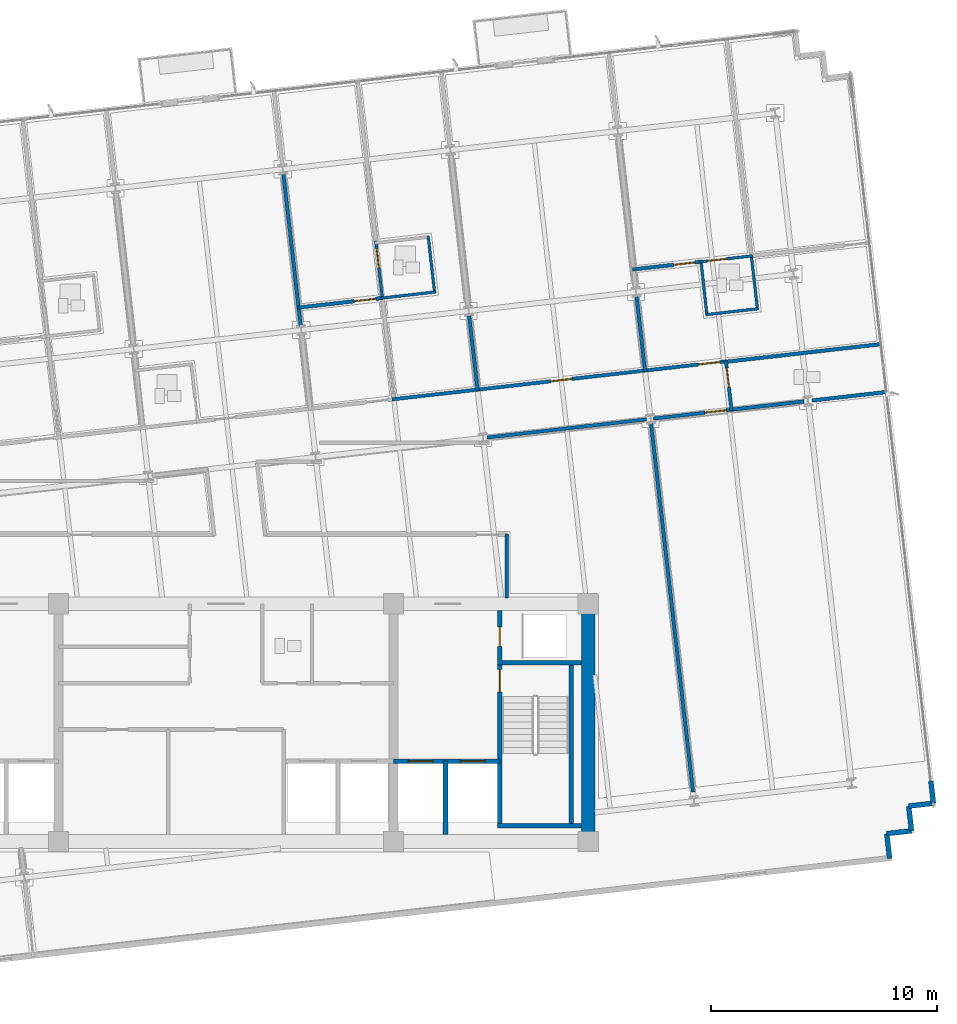
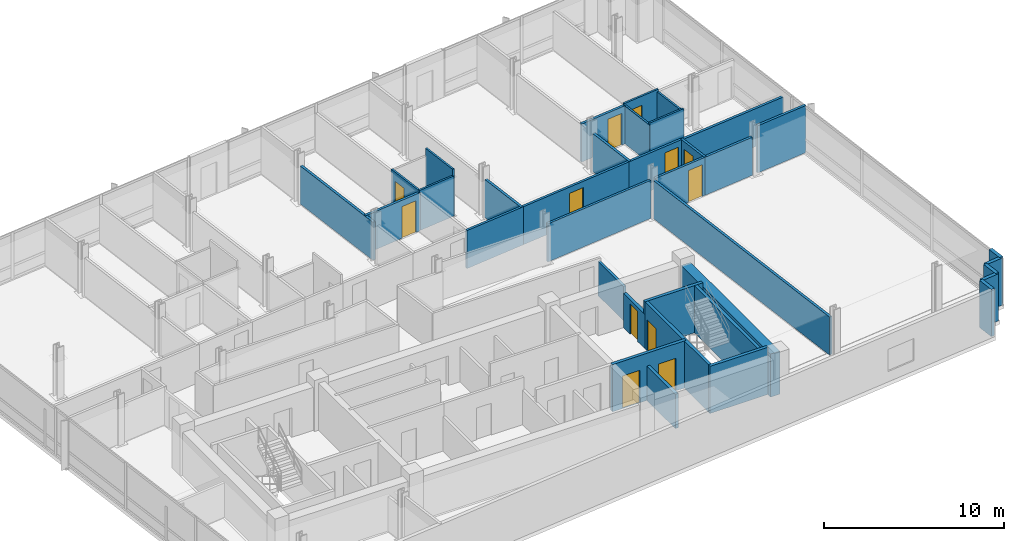
# One storey, part 10 of 16: 36 walls, 12 doors, 12 openings.
"""IFC4 building model written with IfcOpenShell, lengths in metres."""

from ifc_helpers import new_model, si_unit, direction, frame, frame_2d, origin, place, context, subcontext, project, spatial, rectangle, extrude, material, layer, layer_set, type_object, element, fill, save


model = new_model("IFC4")

# Units and contexts
model_context = context("Model", 3, precision=1e-05, world=origin(), true_north=direction((0.0, 1.0)))
body_context = subcontext(model_context, "Body", "Model", "MODEL_VIEW")
ifc_project = project(units=[si_unit("LENGTHUNIT", "METRE"), si_unit("AREAUNIT", "SQUARE_METRE"), si_unit("VOLUMEUNIT", "CUBIC_METRE"), si_unit("PLANEANGLEUNIT", "RADIAN"), si_unit("MASSUNIT", "GRAM", prefix="KILO")], contexts=[model_context])

# Site, building, storey
site_placement = place(None, origin())
site = spatial("IfcSite", under=ifc_project, at=site_placement, CompositionType="ELEMENT")
building_placement = place(site_placement, origin())
building = spatial("IfcBuilding", under=site, at=building_placement, Name="Solmavex Isthmus Hotel", CompositionType="ELEMENT")
storey_placement = place(building_placement, frame((0.0, 0.0, 208.949951171875)))
storey = spatial("IfcBuildingStorey", under=building, at=storey_placement, Name="L56", CompositionType="ELEMENT", Elevation=208.949951171875)

# Walls
ifc_material_1 = material(Name="Precast Concrete C40/50", Category="concrete")
ifc_layer_1 = layer(ifc_material_1, 0.25)
ifc_layer_set_1 = layer_set([ifc_layer_1], Name="Precast Concrete C40/50")
wall_type_1 = type_object("IfcWallType", Name="EW-TWR-250", PredefinedType="STANDARD", material=ifc_layer_set_1)
wall_1_placement = place(storey_placement, frame((31.1474609375, -10.328125, 0.0), z_axis=(0.0, 0.0, 1.0), x_axis=(0.113191877531, -0.993573147212, 0.0)))
element("IfcWall", 1, at=wall_1_placement, inside=storey, type_object=wall_type_1, Name="Serrated Corner Facade Panel L56-21", PredefinedType="STANDARD", context=body_context, shape_type="SweptSolid", body=[
    extrude(rectangle(XDim=0.989990234375, YDim=0.219970703125, at=frame_2d((0.4951171875, 0.0))), origin(), (0.0, 0.0, 1.0), 3.18994140625),
])
wall_2_placement = place(storey_placement, frame((31.259521484375, -11.311767578125, 0.0), z_axis=(0.0, 0.0, 1.0), x_axis=(-0.99357409499, -0.113183557839, 0.0)))
element("IfcWall", 2, at=wall_2_placement, inside=storey, type_object=wall_type_1, Name="Serrated Corner Facade Panel L56-22", PredefinedType="STANDARD", context=body_context, shape_type="SweptSolid", body=[
    extrude(rectangle(XDim=1.10009765625, YDim=0.219970703125, at=frame_2d((0.550048828125, 0.0))), origin(), (0.0, 0.0, 1.0), 3.18994140625),
])
wall_3_placement = place(storey_placement, frame((30.16650390625, -11.436279296875, 0.0), z_axis=(0.0, 0.0, 1.0), x_axis=(0.113427644885, -0.993546259303, 0.0)))
element("IfcWall", 3, at=wall_3_placement, inside=storey, type_object=wall_type_1, Name="Serrated Corner Facade Panel L56-23", PredefinedType="STANDARD", context=body_context, shape_type="SweptSolid", body=[
    extrude(rectangle(XDim=1.099853515625, YDim=0.219970703125, at=frame_2d((0.5498046875, 0.0))), origin(), (0.0, 0.0, 1.0), 3.18994140625),
])
for number, where, z_axis, x_axis, name in (
    (4, (30.291259765625, -12.529052734375, 0.0), (0.0, 0.0, 1.0), (-0.99357409499, -0.113183557839, 0.0), "Serrated Corner Facade Panel L56-24"),
    (5, (29.1982421875, -12.653564453125, 0.0), (0.0, 0.0, 1.0), (0.113183557839, -0.99357409499, 0.0), "Serrated Corner Facade Panel L56-25"),
):
    element("IfcWall", number, at=place(storey_placement, frame(where, z_axis=z_axis, x_axis=x_axis)), inside=storey, type_object=wall_type_1, Name=name, PredefinedType="STANDARD", context=body_context, shape_type="SweptSolid", body=[
        extrude(rectangle(XDim=1.10009765625, YDim=0.219970703125, at=frame_2d((0.550048828125, 0.0))), origin(), (0.0, 0.0, 1.0), 3.18994140625),
    ])
ifc_material_2 = material(Name="Gypsum plasterboard lining", Category="gypsum")
ifc_layer_2 = layer(ifc_material_2, 0.159912109375)
ifc_layer_set_2 = layer_set([ifc_layer_2], Name="Gypsum plasterboard lining")
wall_type_2 = type_object("IfcWallType", Name="IW-COMP-160", PredefinedType="PARTITIONING", material=ifc_layer_set_2)
wall_4_placement = place(storey_placement, frame((2.533203125, 16.529052734375, 0.0), z_axis=(0.0, 0.0, 1.0), x_axis=(0.11321341463, -0.993570693382, 0.0)))
element("IfcWall", 6, at=wall_4_placement, inside=storey, type_object=wall_type_2, Name="Interior Partition Wall W-L56-P042", PredefinedType="PARTITIONING", context=body_context, shape_type="SweptSolid", body=[
    extrude(rectangle(XDim=6.79931640625, YDim=0.159912109375, at=frame_2d((3.399658203125, 0.0))), origin(), (0.0, 0.0, 1.0), 2.572265625),
])

# Wall, opening, door
wall_5_placement = place(storey_placement, frame((3.169921875, 10.587158203125, 0.0), z_axis=(0.0, 0.0, 1.0), x_axis=(0.993567388358, 0.113242416041, 0.0)))
wall_5 = element("IfcWall", 7, at=wall_5_placement, inside=storey, type_object=wall_type_2, Name="Interior Partition Wall W-L56-P045", PredefinedType="PARTITIONING", context=body_context, shape_type="SweptSolid", body=[
    extrude(rectangle(XDim=3.802978515625, YDim=0.159912109375, at=frame_2d((1.9013671875, 0.0))), origin(), (0.0, 0.0, 1.0), 2.572265625),
])
opening_1_placement = place(wall_5_placement, frame((2.52099609375, 0.0, 0.0)))
opening_1 = element("IfcOpeningElement", 8, at=opening_1_placement, cuts=wall_5, Name="Opening ID-C095", PredefinedType="OPENING", context=body_context, shape_type="SweptSolid", body=[
    extrude(rectangle(XDim=0.949951171875, YDim=2.14990234375, at=frame_2d((0.47509765625, 1.074951171875))), frame((0.0, 0.08984375, 0.0), z_axis=(0.0, -1.0, 0.0), x_axis=(1.0, 0.0, 0.0)), (0.0, 0.0, 1.0), 0.179931640625),
])
ifc_material_3 = material(Name="Hardwood timber", Category="wood")
door_type_1 = type_object("IfcDoorType", Name="IDR-FD60-0950", OperationType="NOTDEFINED", PredefinedType="DOOR", material=ifc_material_3)
door_1_placement = place(opening_1_placement, origin())
door_1 = element("IfcDoor", 9, at=door_1_placement, inside=storey, type_object=door_type_1, Name="Diplomatic Suite Master Bedroom Door L56-09", OperationType="SINGLE_SWING_LEFT", OverallHeight=2.14990234375, OverallWidth=0.949951171875, PredefinedType="DOOR", context=body_context, shape_type="SweptSolid", body=[
    extrude(rectangle(XDim=0.949951171875, YDim=2.14990234375, at=frame_2d((0.47509765625, 1.074951171875))), frame((0.0, 0.02490234375, 0.0), z_axis=(0.0, -1.0, 0.0), x_axis=(1.0, 0.0, 0.0)), (0.0, 0.0, 1.0), 0.050048828125),
])
fill(opening_1, door_1)

# Walls
wall_6_placement = place(storey_placement, frame((10.740966796875, 10.265869140625, 0.0), z_axis=(0.0, 0.0, 1.0), x_axis=(0.113220917918, -0.993569838384, 0.0)))
element("IfcWall", 10, at=wall_6_placement, inside=storey, type_object=wall_type_2, Name="Interior Partition Wall W-L56-P054", PredefinedType="PARTITIONING", context=body_context, shape_type="SweptSolid", body=[
    extrude(rectangle(XDim=3.36181640625, YDim=0.159912109375, at=frame_2d((1.680908203125, 0.0))), origin(), (0.0, 0.0, 1.0), 2.572265625),
])
wall_7_placement = place(storey_placement, frame((18.13916015625, 11.108642578125, 0.0), z_axis=(0.0, 0.0, 1.0), x_axis=(0.113229088195, -0.993568907317, 0.0)))
element("IfcWall", 11, at=wall_7_placement, inside=storey, type_object=wall_type_2, Name="Interior Partition Wall W-L56-P056", PredefinedType="PARTITIONING", context=body_context, shape_type="SweptSolid", body=[
    extrude(rectangle(XDim=3.361572265625, YDim=0.159912109375, at=frame_2d((1.6806640625, 0.0))), origin(), (0.0, 0.0, 1.0), 2.572265625),
])

# Wall, opening, door
wall_8_placement = place(storey_placement, frame((17.96630859375, 12.27294921875, 0.0), z_axis=(0.0, 0.0, 1.0), x_axis=(0.993571907495, 0.113202758961, 0.0)))
wall_8 = element("IfcWall", 12, at=wall_8_placement, inside=storey, type_object=wall_type_2, Name="Interior Partition Wall W-L56-P058", PredefinedType="PARTITIONING", context=body_context, shape_type="SweptSolid", body=[
    extrude(rectangle(XDim=3.083984375, YDim=0.159912109375, at=frame_2d((1.5419921875, 0.0))), origin(), (0.0, 0.0, 1.0), 2.572265625),
])
opening_2_placement = place(wall_8_placement, frame((1.823974609375, 0.0, 0.0)))
opening_2 = element("IfcOpeningElement", 13, at=opening_2_placement, cuts=wall_8, Name="Opening ID-C095", PredefinedType="OPENING", context=body_context, shape_type="SweptSolid", body=[
    extrude(rectangle(XDim=0.949951171875, YDim=2.14990234375, at=frame_2d((0.47509765625, 1.074951171875))), frame((0.0, 0.08984375, 0.0), z_axis=(0.0, -1.0, 0.0), x_axis=(1.0, 0.0, 0.0)), (0.0, 0.0, 1.0), 0.179931640625),
])
door_2_placement = place(opening_2_placement, origin())
door_2 = element("IfcDoor", 14, at=door_2_placement, inside=storey, type_object=door_type_1, Name="Diplomatic Hospitality Suite Bedroom Door L56-14", OperationType="SINGLE_SWING_RIGHT", OverallHeight=2.14990234375, OverallWidth=0.949951171875, PredefinedType="DOOR", context=body_context, shape_type="SweptSolid", body=[
    extrude(rectangle(XDim=0.949951171875, YDim=2.14990234375, at=frame_2d((0.47509765625, 1.074951171875))), frame((0.0, 0.02490234375, 0.0), z_axis=(0.0, -1.0, 0.0), x_axis=(1.0, 0.0, 0.0)), (0.0, 0.0, 1.0), 0.050048828125),
])
fill(opening_2, door_2)

# Walls
wall_9_placement = place(storey_placement, frame((28.977783203125, 8.98046875, 0.0), z_axis=(0.0, 0.0, 1.0), x_axis=(-0.993571800428, -0.113203698681, 0.0)))
element("IfcWall", 15, at=wall_9_placement, inside=storey, type_object=wall_type_2, Name="Interior Partition Wall W-L56-P063", PredefinedType="PARTITIONING", context=body_context, shape_type="SweptSolid", body=[
    extrude(rectangle(XDim=6.968017578125, YDim=0.159912109375, at=frame_2d((3.48388671875, 0.0))), origin(), (0.0, 0.0, 1.0), 2.5576171875),
])
wall_10_placement = place(storey_placement, frame((25.546142578125, 6.44580078125, 0.0), z_axis=(0.0, 0.0, 1.0), x_axis=(-0.993568592225, -0.113231853041, 0.0)))
element("IfcWall", 16, at=wall_10_placement, inside=storey, type_object=wall_type_2, Name="Interior Partition Wall W-L56-P068", PredefinedType="PARTITIONING", context=body_context, shape_type="SweptSolid", body=[
    extrude(rectangle(XDim=3.281494140625, YDim=0.159912109375, at=frame_2d((1.640625, 0.0))), origin(), (0.0, 0.0, 1.0), 2.572265625),
])
wall_11_placement = place(storey_placement, frame((29.21875, 6.864013671875, 0.0), z_axis=(0.0, 0.0, 1.0), x_axis=(-0.993574498496, -0.113180015629, 0.0)))
element("IfcWall", 17, at=wall_11_placement, inside=storey, type_object=wall_type_2, Name="Interior Partition Wall W-L56-P069", PredefinedType="PARTITIONING", context=body_context, shape_type="SweptSolid", body=[
    extrude(rectangle(XDim=3.343505859375, YDim=0.159912109375, at=frame_2d((1.671875, 0.0))), origin(), (0.0, 0.0, 1.0), 3.18994140625),
])
wall_12_placement = place(storey_placement, frame((18.778564453125, 5.4970703125, 0.0), z_axis=(0.0, 0.0, 1.0), x_axis=(0.113193364489, -0.993572977811, 0.0)))
element("IfcWall", 18, at=wall_12_placement, inside=storey, type_object=wall_type_2, Name="Interior Partition Wall W-L56-P073", PredefinedType="PARTITIONING", context=body_context, shape_type="SweptSolid", body=[
    extrude(rectangle(XDim=16.41357421875, YDim=0.159912109375, at=frame_2d((8.206787109375, 0.0))), origin(), (0.0, 0.0, 1.0), 2.572265625),
])
ifc_layer_3 = layer(ifc_material_2, 0.14990234375)
ifc_layer_set_3 = layer_set([ifc_layer_3], Name="Gypsum plasterboard lining")
wall_type_3 = type_object("IfcWallType", Name="IW-CORR-150", PredefinedType="PARTITIONING", material=ifc_layer_set_3)
wall_13_placement = place(storey_placement, frame((7.33642578125, 6.534912109375, 0.0), z_axis=(0.0, 0.0, 1.0), x_axis=(0.993574309552, 0.113181674304, 0.0)))
element("IfcWall", 19, at=wall_13_placement, inside=storey, type_object=wall_type_3, Name="Interior Partition Wall W-L56-P007", PredefinedType="PARTITIONING", context=body_context, shape_type="SweptSolid", body=[
    extrude(rectangle(XDim=3.886962890625, YDim=0.14990234375, at=frame_2d((1.943359375, 0.0))), origin(), (0.0, 0.0, 1.0), 2.572265625),
])

# Wall, opening, door
wall_14_placement = place(storey_placement, frame((11.03564453125, 6.956298828125, 0.0), z_axis=(0.0, 0.0, 1.0), x_axis=(0.993570360949, 0.113216332056, 0.0)))
wall_14 = element("IfcWall", 20, at=wall_14_placement, inside=storey, type_object=wall_type_3, Name="Interior Partition Wall W-L56-P008", PredefinedType="PARTITIONING", context=body_context, shape_type="SweptSolid", body=[
    extrude(rectangle(XDim=7.60986328125, YDim=0.14990234375, at=frame_2d((3.804931640625, 0.0))), origin(), (0.0, 0.0, 1.0), 2.572265625),
])
opening_3_placement = place(wall_14_placement, frame((3.330078125, 0.0, 0.0)))
opening_3 = element("IfcOpeningElement", 21, at=opening_3_placement, cuts=wall_14, Name="Opening ID-C095", PredefinedType="OPENING", context=body_context, shape_type="SweptSolid", body=[
    extrude(rectangle(XDim=0.949951171875, YDim=2.14990234375, at=frame_2d((0.47509765625, 1.074951171875))), frame((0.0, 0.0849609375, 0.0), z_axis=(0.0, -1.0, 0.0), x_axis=(1.0, 0.0, 0.0)), (0.0, 0.0, 1.0), 0.169921875),
])
door_3_placement = place(opening_3_placement, origin())
door_3 = element("IfcDoor", 22, at=door_3_placement, inside=storey, type_object=door_type_1, Name="Summit Dining Room Door L56-12", OperationType="SINGLE_SWING_RIGHT", OverallHeight=2.14990234375, OverallWidth=0.949951171875, PredefinedType="DOOR", context=body_context, shape_type="SweptSolid", body=[
    extrude(rectangle(XDim=0.949951171875, YDim=2.14990234375, at=frame_2d((0.47509765625, 1.074951171875))), frame((0.0, 0.02490234375, 0.0), z_axis=(0.0, -1.0, 0.0), x_axis=(1.0, 0.0, 0.0)), (0.0, 0.0, 1.0), 0.050048828125),
])
fill(opening_3, door_3)

wall_15_placement = place(storey_placement, frame((18.43359375, 7.79931640625, 0.0), z_axis=(0.0, 0.0, 1.0), x_axis=(0.993578468541, 0.11314515832, 0.0)))
wall_15 = element("IfcWall", 23, at=wall_15_placement, inside=storey, type_object=wall_type_3, Name="Interior Partition Wall W-L56-P009", PredefinedType="PARTITIONING", context=body_context, shape_type="SweptSolid", body=[
    extrude(rectangle(XDim=3.72216796875, YDim=0.14990234375, at=frame_2d((1.861083984375, 0.0))), origin(), (0.0, 0.0, 1.0), 2.572265625),
])
opening_4_placement = place(wall_15_placement, frame((2.456787109375, 0.0, 0.0)))
opening_4 = element("IfcOpeningElement", 24, at=opening_4_placement, cuts=wall_15, Name="Opening ID-C095", PredefinedType="OPENING", context=body_context, shape_type="SweptSolid", body=[
    extrude(rectangle(XDim=0.949951171875, YDim=2.14990234375, at=frame_2d((0.47509765625, 1.074951171875))), frame((0.0, 0.0849609375, 0.0), z_axis=(0.0, -1.0, 0.0), x_axis=(1.0, 0.0, 0.0)), (0.0, 0.0, 1.0), 0.169921875),
])
door_4_placement = place(opening_4_placement, origin())
door_4 = element("IfcDoor", 25, at=door_4_placement, inside=storey, type_object=door_type_1, Name="Diplomatic Hospitality Suite Reception Foyer Door L56-13", OperationType="SINGLE_SWING_LEFT", OverallHeight=2.14990234375, OverallWidth=0.949951171875, PredefinedType="DOOR", context=body_context, shape_type="SweptSolid", body=[
    extrude(rectangle(XDim=0.949951171875, YDim=2.14990234375, at=frame_2d((0.47509765625, 1.074951171875))), frame((0.0, 0.02490234375, 0.0), z_axis=(0.0, -1.0, 0.0), x_axis=(1.0, 0.0, 0.0)), (0.0, 0.0, 1.0), 0.050048828125),
])
fill(opening_4, door_4)

wall_16_placement = place(storey_placement, frame((22.08984375, 8.23583984375, 0.0), z_axis=(0.0, 0.0, 1.0), x_axis=(0.113122854389, -0.993581008179, 0.0)))
wall_16 = element("IfcWall", 26, at=wall_16_placement, inside=storey, type_object=wall_type_3, Name="Interior Partition Wall W-L56-P011", PredefinedType="PARTITIONING", context=body_context, shape_type="SweptSolid", body=[
    extrude(rectangle(XDim=2.2099609375, YDim=0.14990234375, at=frame_2d((1.10498046875, 0.0))), origin(), (0.0, 0.0, 1.0), 2.572265625),
])
opening_5_placement = place(wall_16_placement, frame((0.322265625, 0.0, 0.0)))
opening_5 = element("IfcOpeningElement", 27, at=opening_5_placement, cuts=wall_16, Name="Opening ID-R085", PredefinedType="OPENING", context=body_context, shape_type="SweptSolid", body=[
    extrude(rectangle(XDim=0.85009765625, YDim=2.050048828125, at=frame_2d((0.425048828125, 1.02490234375))), frame((0.0, 0.0849609375, 0.0), z_axis=(0.0, -1.0, 0.0), x_axis=(1.0, 0.0, 0.0)), (0.0, 0.0, 1.0), 0.169921875),
])
ifc_material_4 = material(Name="Steel ASTM A500 Grade C", Category="steel")
door_type_2 = type_object("IfcDoorType", Name="IDR-FD60-0850", OperationType="NOTDEFINED", PredefinedType="DOOR", material=ifc_material_4)
door_5_placement = place(opening_5_placement, frame((0.85009765625, 0.0, 0.0), z_axis=(0.0, 0.0, 1.0), x_axis=(-1.0, 0.0, 0.0)))
door_5 = element("IfcDoor", 28, at=door_5_placement, inside=storey, type_object=door_type_2, Name="Public Restroom WC Door L56-18", OperationType="SINGLE_SWING_RIGHT", OverallHeight=2.050048828125, OverallWidth=0.85009765625, PredefinedType="DOOR", context=body_context, shape_type="SweptSolid", body=[
    extrude(rectangle(XDim=0.85009765625, YDim=2.050048828125, at=frame_2d((0.425048828125, 1.02490234375))), frame((0.0, 0.02490234375, 0.0), z_axis=(0.0, -1.0, 0.0), x_axis=(1.0, 0.0, 0.0)), (0.0, 0.0, 1.0), 0.050048828125),
])
fill(opening_5, door_5)

# Walls
wall_17_placement = place(storey_placement, frame((18.583251953125, 5.65234375, 0.0), z_axis=(0.0, 0.0, 1.0), x_axis=(-0.993571775172, -0.113203920343, 0.0)))
element("IfcWall", 29, at=wall_17_placement, inside=storey, type_object=wall_type_3, Name="Interior Partition Wall W-L56-P019", PredefinedType="PARTITIONING", context=body_context, shape_type="SweptSolid", body=[
    extrude(rectangle(XDim=7.09326171875, YDim=0.14990234375, at=frame_2d((3.546630859375, 0.0))), origin(), (0.0, 0.0, 1.0), 2.572265625),
])
wall_18_placement = place(storey_placement, frame((12.39990234375, 0.590087890625, 0.0), z_axis=(0.0, 0.0, 1.0), x_axis=(0.0, -1.0, 0.0)))
element("IfcWall", 30, at=wall_18_placement, inside=storey, type_object=wall_type_3, Name="Interior Partition Wall W-L56-P024", PredefinedType="PARTITIONING", context=body_context, shape_type="SweptSolid", body=[
    extrude(rectangle(XDim=2.830078125, YDim=0.14990234375, at=frame_2d((1.4150390625, 0.0))), origin(), (0.0, 0.0, 1.0), 2.324951171875),
])

# Wall, opening, door
wall_19_placement = place(storey_placement, frame((22.375244140625, 6.08447265625, 0.0), z_axis=(0.0, 0.0, 1.0), x_axis=(-0.993568982909, -0.113228424882, 0.0)))
wall_19 = element("IfcWall", 31, at=wall_19_placement, inside=storey, type_object=wall_type_3, Name="Interior Partition Wall W-L56-P025", PredefinedType="PARTITIONING", context=body_context, shape_type="SweptSolid", body=[
    extrude(rectangle(XDim=3.505859375, YDim=0.14990234375, at=frame_2d((1.7529296875, 0.0))), origin(), (0.0, 0.0, 1.0), 2.572265625),
])
opening_6_placement = place(wall_19_placement, frame((0.270751953125, 0.0, 0.0)))
opening_6 = element("IfcOpeningElement", 32, at=opening_6_placement, cuts=wall_19, Name="Opening ID-C095", PredefinedType="OPENING", context=body_context, shape_type="SweptSolid", body=[
    extrude(rectangle(XDim=0.949951171875, YDim=2.14990234375, at=frame_2d((0.47509765625, 1.074951171875))), frame((0.0, 0.0849609375, 0.0), z_axis=(0.0, -1.0, 0.0), x_axis=(1.0, 0.0, 0.0)), (0.0, 0.0, 1.0), 0.169921875),
])
door_6_placement = place(opening_6_placement, origin())
door_6 = element("IfcDoor", 33, at=door_6_placement, inside=storey, type_object=door_type_1, Name="Protocol Boardroom Door L56-24", OperationType="SINGLE_SWING_RIGHT", OverallHeight=2.14990234375, OverallWidth=0.949951171875, PredefinedType="DOOR", context=body_context, shape_type="SweptSolid", body=[
    extrude(rectangle(XDim=0.949951171875, YDim=2.14990234375, at=frame_2d((0.47509765625, 1.074951171875))), frame((0.0, 0.02490234375, 0.0), z_axis=(0.0, -1.0, 0.0), x_axis=(1.0, 0.0, 0.0)), (0.0, 0.0, 1.0), 0.050048828125),
])
fill(opening_6, door_6)

ifc_layer_4 = layer(ifc_material_2, 0.1201171875)
ifc_layer_set_4 = layer_set([ifc_layer_4], Name="Gypsum plasterboard lining")
wall_type_4 = type_object("IfcWallType", Name="IW-PART-120", PredefinedType="PARTITIONING", material=ifc_layer_set_4)
wall_20_placement = place(storey_placement, frame((6.6220703125, 13.529052734375, 0.0), z_axis=(0.0, 0.0, 1.0), x_axis=(0.113233389532, -0.993568417118, 0.0)))
wall_20 = element("IfcWall", 34, at=wall_20_placement, inside=storey, type_object=wall_type_4, Name="Interior Partition Wall W-L56-P048", PredefinedType="PARTITIONING", context=body_context, shape_type="SweptSolid", body=[
    extrude(rectangle(XDim=2.572265625, YDim=0.1201171875, at=frame_2d((1.2861328125, 0.0))), origin(), (0.0, 0.0, 1.0), 2.71826171875),
])
opening_7_placement = place(wall_20_placement, frame((0.337646484375, 0.0, 0.0)))
opening_7 = element("IfcOpeningElement", 35, at=opening_7_placement, cuts=wall_20, Name="Opening ID-U085", PredefinedType="OPENING", context=body_context, shape_type="SweptSolid", body=[
    extrude(rectangle(XDim=0.85009765625, YDim=2.10009765625, at=frame_2d((0.425048828125, 1.050048828125))), frame((0.0, 0.070068359375, 0.0), z_axis=(0.0, -1.0, 0.0), x_axis=(1.0, 0.0, 0.0)), (0.0, 0.0, 1.0), 0.14013671875),
])
door_type_3 = type_object("IfcDoorType", Name="IDR-UNR-0850", OperationType="NOTDEFINED", PredefinedType="DOOR", material=ifc_material_3)
door_7_placement = place(opening_7_placement, origin())
door_7 = element("IfcDoor", 36, at=door_7_placement, inside=storey, type_object=door_type_3, Name="En-suite Bathroom Door L56-11", OperationType="SINGLE_SWING_LEFT", OverallHeight=2.10009765625, OverallWidth=0.85009765625, PredefinedType="DOOR", context=body_context, shape_type="SweptSolid", body=[
    extrude(rectangle(XDim=0.85009765625, YDim=2.10009765625, at=frame_2d((0.425048828125, 1.050048828125))), frame((0.0, 0.02490234375, 0.0), z_axis=(0.0, -1.0, 0.0), x_axis=(1.0, 0.0, 0.0)), (0.0, 0.0, 1.0), 0.050048828125),
])
fill(opening_7, door_7)

# Walls
wall_21_placement = place(storey_placement, frame((6.869140625, 11.0087890625, 0.0), z_axis=(0.0, 0.0, 1.0), x_axis=(0.993573870401, 0.113185529362, 0.0)))
element("IfcWall", 37, at=wall_21_placement, inside=storey, type_object=wall_type_4, Name="Interior Partition Wall W-L56-P049", PredefinedType="PARTITIONING", context=body_context, shape_type="SweptSolid", body=[
    extrude(rectangle(XDim=2.40283203125, YDim=0.1201171875, at=frame_2d((1.201416015625, 0.0))), origin(), (0.0, 0.0, 1.0), 2.71826171875),
])
wall_22_placement = place(storey_placement, frame((9.221435546875, 11.236328125, 0.0), z_axis=(0.0, 0.0, 1.0), x_axis=(-0.113184642947, 0.993573971379, 0.0)))
element("IfcWall", 38, at=wall_22_placement, inside=storey, type_object=wall_type_4, Name="Interior Partition Wall W-L56-P050", PredefinedType="PARTITIONING", context=body_context, shape_type="SweptSolid", body=[
    extrude(rectangle(XDim=2.5302734375, YDim=0.1201171875, at=frame_2d((1.26513671875, 0.0))), origin(), (0.0, 0.0, 1.0), 3.18994140625),
])
wall_23_placement = place(storey_placement, frame((20.986328125, 12.657470703125, 0.0), z_axis=(0.0, 0.0, 1.0), x_axis=(0.10900891826, -0.994040771669, 0.0)))
element("IfcWall", 39, at=wall_23_placement, inside=storey, type_object=wall_type_4, Name="Interior Partition Wall W-L56-P060", PredefinedType="PARTITIONING", context=body_context, shape_type="SweptSolid", body=[
    extrude(rectangle(XDim=2.429931640625, YDim=0.1201171875, at=frame_2d((1.21484375, 0.0))), origin(), (0.0, 0.0, 1.0), 2.572265625),
])
wall_24_placement = place(storey_placement, frame((21.20703125, 10.277099609375, 0.0), z_axis=(0.0, 0.0, 1.0), x_axis=(0.99357583204, 0.113168308226, 0.0)))
element("IfcWall", 40, at=wall_24_placement, inside=storey, type_object=wall_type_4, Name="Interior Partition Wall W-L56-P061", PredefinedType="PARTITIONING", context=body_context, shape_type="SweptSolid", body=[
    extrude(rectangle(XDim=2.329833984375, YDim=0.1201171875, at=frame_2d((1.1650390625, 0.0))), origin(), (0.0, 0.0, 1.0), 2.71826171875),
])
wall_25_placement = place(storey_placement, frame((23.48681640625, 10.49658203125, 0.0), z_axis=(0.0, 0.0, 1.0), x_axis=(-0.113232053563, 0.993568569373, 0.0)))
element("IfcWall", 41, at=wall_25_placement, inside=storey, type_object=wall_type_4, Name="Interior Partition Wall W-L56-P062", PredefinedType="PARTITIONING", context=body_context, shape_type="SweptSolid", body=[
    extrude(rectangle(XDim=2.429931640625, YDim=0.1201171875, at=frame_2d((1.21484375, 0.0))), origin(), (0.0, 0.0, 1.0), 2.572265625),
])

# Wall, opening, door
wall_26_placement = place(storey_placement, frame((23.256103515625, 12.875732421875, 0.0), z_axis=(0.0, 0.0, 1.0), x_axis=(-0.99357109585, -0.113209882477, 0.0)))
wall_26 = element("IfcWall", 42, at=wall_26_placement, inside=storey, type_object=wall_type_4, Name="Interior Partition Wall W-L56-P065", PredefinedType="PARTITIONING", context=body_context, shape_type="SweptSolid", body=[
    extrude(rectangle(XDim=2.3720703125, YDim=0.1201171875, at=frame_2d((1.18603515625, 0.0))), origin(), (0.0, 0.0, 1.0), 2.71826171875),
])
opening_8_placement = place(wall_26_placement, frame((1.14599609375, 0.0, 0.0)))
opening_8 = element("IfcOpeningElement", 43, at=opening_8_placement, cuts=wall_26, Name="Opening ID-U085", PredefinedType="OPENING", context=body_context, shape_type="SweptSolid", body=[
    extrude(rectangle(XDim=0.85009765625, YDim=2.10009765625, at=frame_2d((0.425048828125, 1.050048828125))), frame((0.0, 0.070068359375, 0.0), z_axis=(0.0, -1.0, 0.0), x_axis=(1.0, 0.0, 0.0)), (0.0, 0.0, 1.0), 0.14013671875),
])
door_8_placement = place(opening_8_placement, frame((0.85009765625, 0.0, 0.0), z_axis=(0.0, 0.0, 1.0), x_axis=(-1.0, 0.0, 0.0)))
door_8 = element("IfcDoor", 44, at=door_8_placement, inside=storey, type_object=door_type_3, Name="En-suite Bathroom Door L56-16", OperationType="SINGLE_SWING_RIGHT", OverallHeight=2.10009765625, OverallWidth=0.85009765625, PredefinedType="DOOR", context=body_context, shape_type="SweptSolid", body=[
    extrude(rectangle(XDim=0.85009765625, YDim=2.10009765625, at=frame_2d((0.425048828125, 1.050048828125))), frame((0.0, 0.02490234375, 0.0), z_axis=(0.0, -1.0, 0.0), x_axis=(1.0, 0.0, 0.0)), (0.0, 0.0, 1.0), 0.050048828125),
])
fill(opening_8, door_8)

ifc_material_5 = material(Name="Concrete C40/50", Category="concrete")
ifc_layer_5 = layer(ifc_material_5, 0.199951171875)
ifc_layer_set_5 = layer_set([ifc_layer_5], Name="Concrete C40/50")
wall_type_5 = type_object("IfcWallType", Name="IW-SHAFT-200", PredefinedType="PARTITIONING", material=ifc_layer_set_5)
wall_27_placement = place(storey_placement, frame((12.10009765625, -5.199951171875, 0.0), z_axis=(0.0, 0.0, 1.0), x_axis=(0.0, 1.0, 0.0)))
wall_27 = element("IfcWall", 45, at=wall_27_placement, inside=storey, type_object=wall_type_5, Name="Interior Partition Wall W-L56-RSE-W", PredefinedType="PARTITIONING", context=body_context, shape_type="SweptSolid", body=[
    extrude(rectangle(XDim=2.39990234375, YDim=0.199951171875, at=frame_2d((1.199951171875, 0.0))), origin(), (0.0, 0.0, 1.0), 2.324951171875),
])
opening_9_placement = place(wall_27_placement, frame((0.824951171875, 0.0, 0.0)))
opening_9 = element("IfcOpeningElement", 46, at=opening_9_placement, cuts=wall_27, Name="Opening ID-R085", PredefinedType="OPENING", context=body_context, shape_type="SweptSolid", body=[
    extrude(rectangle(XDim=0.85009765625, YDim=2.050048828125, at=frame_2d((0.425048828125, 1.02490234375))), frame((0.0, 0.10986328125, 0.0), z_axis=(0.0, -1.0, 0.0), x_axis=(1.0, 0.0, 0.0)), (0.0, 0.0, 1.0), 0.219970703125),
])
door_9_placement = place(opening_9_placement, frame((0.85009765625, 0.0, 0.0), z_axis=(0.0, 0.0, 1.0), x_axis=(-1.0, 0.0, 0.0)))
door_9 = element("IfcDoor", 47, at=door_9_placement, inside=storey, type_object=door_type_2, Name="Mechanical Riser Door L56", OperationType="SINGLE_SWING_LEFT", OverallHeight=2.050048828125, OverallWidth=0.85009765625, PredefinedType="DOOR", context=body_context, shape_type="SweptSolid", body=[
    extrude(rectangle(XDim=0.85009765625, YDim=2.050048828125, at=frame_2d((0.425048828125, 1.02490234375))), frame((0.0, 0.02490234375, 0.0), z_axis=(0.0, -1.0, 0.0), x_axis=(1.0, 0.0, 0.0)), (0.0, 0.0, 1.0), 0.050048828125),
])
fill(opening_9, door_9)

# Wall, openings, doors
wall_28_placement = place(storey_placement, frame((7.39990234375, -9.449951171875, 0.0), z_axis=(0.0, 0.0, 1.0), x_axis=(1.0, 0.0, 0.0)))
wall_28 = element("IfcWall", 48, at=wall_28_placement, inside=storey, type_object=wall_type_5, Name="Interior Partition Wall W-L56-FFLE-S", PredefinedType="PARTITIONING", context=body_context, shape_type="SweptSolid", body=[
    extrude(rectangle(XDim=4.7001953125, YDim=0.199951171875, at=frame_2d((2.35009765625, 0.0))), origin(), (0.0, 0.0, 1.0), 3.18994140625),
])
opening_10_placement = place(wall_28_placement, frame((2.949951171875, 0.0, 0.0)))
opening_10 = element("IfcOpeningElement", 49, at=opening_10_placement, cuts=wall_28, Name="Opening LD-FF", PredefinedType="OPENING", context=body_context, shape_type="SweptSolid", body=[
    extrude(rectangle(XDim=1.10009765625, YDim=2.199951171875, at=frame_2d((0.550048828125, 1.10009765625))), frame((0.0, 0.10986328125, 0.0), z_axis=(0.0, -1.0, 0.0), x_axis=(1.0, 0.0, 0.0)), (0.0, 0.0, 1.0), 0.219970703125),
])
opening_11_placement = place(wall_28_placement, frame((0.64990234375, 0.0, 0.0)))
opening_11 = element("IfcOpeningElement", 50, at=opening_11_placement, cuts=wall_28, Name="Opening LD-SV", PredefinedType="OPENING", context=body_context, shape_type="SweptSolid", body=[
    extrude(rectangle(XDim=1.10009765625, YDim=2.199951171875, at=frame_2d((0.550048828125, 1.10009765625))), frame((0.0, 0.10986328125, 0.0), z_axis=(0.0, -1.0, 0.0), x_axis=(1.0, 0.0, 0.0)), (0.0, 0.0, 1.0), 0.219970703125),
])
ifc_material_6 = material(Name="Stainless steel 316", Category="steel")
door_type_4 = type_object("IfcDoorType", Name="LDR-FF-1100", OperationType="NOTDEFINED", PredefinedType="DOOR", material=ifc_material_6)
door_10_placement = place(opening_10_placement, origin())
door_10 = element("IfcDoor", 51, at=door_10_placement, inside=storey, type_object=door_type_4, Name="Lift Landing Door FFL-2 L56", OperationType="SLIDING_TO_LEFT", OverallHeight=2.199951171875, OverallWidth=1.10009765625, PredefinedType="DOOR", context=body_context, shape_type="SweptSolid", body=[
    extrude(rectangle(XDim=1.10009765625, YDim=2.199951171875, at=frame_2d((0.550048828125, 1.10009765625))), frame((0.0, 0.02490234375, 0.0), z_axis=(0.0, -1.0, 0.0), x_axis=(1.0, 0.0, 0.0)), (0.0, 0.0, 1.0), 0.050048828125),
])
fill(opening_10, door_10)
door_type_5 = type_object("IfcDoorType", Name="LDR-SV-1100", OperationType="NOTDEFINED", PredefinedType="DOOR", material=ifc_material_6)
door_11_placement = place(opening_11_placement, origin())
door_11 = element("IfcDoor", 52, at=door_11_placement, inside=storey, type_object=door_type_5, Name="Lift Landing Door SVL-2 L56", OperationType="SLIDING_TO_RIGHT", OverallHeight=2.199951171875, OverallWidth=1.10009765625, PredefinedType="DOOR", context=body_context, shape_type="SweptSolid", body=[
    extrude(rectangle(XDim=1.10009765625, YDim=2.199951171875, at=frame_2d((0.550048828125, 1.10009765625))), frame((0.0, 0.02490234375, 0.0), z_axis=(0.0, -1.0, 0.0), x_axis=(1.0, 0.0, 0.0)), (0.0, 0.0, 1.0), 0.050048828125),
])
fill(opening_11, door_11)

# Walls
wall_29_placement = place(storey_placement, frame((9.699951171875, -12.699951171875, 0.0), z_axis=(0.0, 0.0, 1.0), x_axis=(0.0, 1.0, 0.0)))
element("IfcWall", 53, at=wall_29_placement, inside=storey, type_object=wall_type_5, Name="Interior Partition Wall W-L56-FFLE-M", PredefinedType="PARTITIONING", context=body_context, shape_type="SweptSolid", body=[
    extrude(rectangle(XDim=3.25, YDim=0.199951171875, at=frame_2d((1.625, 0.0))), origin(), (0.0, 0.0, 1.0), 2.324951171875),
])
ifc_material_7 = material(Name="Concrete C50/60", Category="concrete")
ifc_layer_6 = layer(ifc_material_7, 0.60009765625)
ifc_layer_set_6 = layer_set([ifc_layer_6], Name="Concrete C50/60")
wall_type_6 = type_object("IfcWallType", Name="WALL-CW-600", PredefinedType="SHEAR", material=ifc_layer_set_6)
wall_30_placement = place(storey_placement, frame((16.0, -12.699951171875, 0.0), z_axis=(0.0, 0.0, 1.0), x_axis=(0.0, 1.0, 0.0)))
element("IfcWall", 54, at=wall_30_placement, inside=storey, type_object=wall_type_6, Name="Core Shear Wall East L56", PredefinedType="SHEAR", context=body_context, shape_type="SweptSolid", body=[
    extrude(rectangle(XDim=9.89990234375, YDim=0.60009765625, at=frame_2d((4.949951171875, 0.0))), origin(), (0.0, 0.0, 1.0), 2.91015625),
])
ifc_layer_7 = layer(ifc_material_5, 0.199951171875)
ifc_layer_set_7 = layer_set([ifc_layer_7], Name="Concrete C40/50")
wall_type_7 = type_object("IfcWallType", Name="WALL-SW-200", PredefinedType="SOLIDWALL", material=ifc_layer_set_7)
for number, where, z_axis, x_axis, name in (
    (55, (12.0, -12.300048828125, 0.0), (0.0, 0.0, 1.0), (1.0, 0.0, 0.0), "Stairwell Structural Wall SW-L56-ST2-S"),
    (56, (12.0, -5.10009765625, 0.0), (0.0, 0.0, 1.0), (1.0, 0.0, 0.0), "Stairwell Structural Wall SW-L56-ST2-N"),
):
    element("IfcWall", number, at=place(storey_placement, frame(where, z_axis=z_axis, x_axis=x_axis)), inside=storey, type_object=wall_type_7, Name=name, PredefinedType="SOLIDWALL", context=body_context, shape_type="SweptSolid", body=[
        extrude(rectangle(XDim=3.699951171875, YDim=0.199951171875, at=frame_2d((1.85009765625, 0.0))), origin(), (0.0, 0.0, 1.0), 3.18994140625),
    ])

# Wall, opening, door
wall_31_placement = place(storey_placement, frame((12.10009765625, -12.199951171875, 0.0), z_axis=(0.0, 0.0, 1.0), x_axis=(0.0, 1.0, 0.0)))
wall_31 = element("IfcWall", 57, at=wall_31_placement, inside=storey, type_object=wall_type_7, Name="Stairwell Structural Wall SW-L56-ST2-W", PredefinedType="SOLIDWALL", context=body_context, shape_type="SweptSolid", body=[
    extrude(rectangle(XDim=7.0, YDim=0.199951171875, at=frame_2d((3.5, 0.0))), origin(), (0.0, 0.0, 1.0), 3.18994140625),
])
opening_12_placement = place(wall_31_placement, frame((5.800048828125, 0.0, 0.0)))
opening_12 = element("IfcOpeningElement", 58, at=opening_12_placement, cuts=wall_31, Name="Opening ID-F100", PredefinedType="OPENING", context=body_context, shape_type="SweptSolid", body=[
    extrude(rectangle(XDim=1.0, YDim=2.10009765625, at=frame_2d((0.5, 1.050048828125))), frame((0.0, 0.10986328125, 0.0), z_axis=(0.0, -1.0, 0.0), x_axis=(1.0, 0.0, 0.0)), (0.0, 0.0, 1.0), 0.219970703125),
])
door_type_6 = type_object("IfcDoorType", Name="IDR-FD90-1000", OperationType="NOTDEFINED", PredefinedType="DOOR", material=ifc_material_4)
door_12_placement = place(opening_12_placement, origin())
door_12 = element("IfcDoor", 59, at=door_12_placement, inside=storey, type_object=door_type_6, Name="Stair ST-2 Fire Door L56", OperationType="SINGLE_SWING_RIGHT", OverallHeight=2.10009765625, OverallWidth=1.0, PredefinedType="DOOR", context=body_context, shape_type="SweptSolid", body=[
    extrude(rectangle(XDim=1.0, YDim=2.10009765625, at=frame_2d((0.5, 1.050048828125))), frame((0.0, 0.02490234375, 0.0), z_axis=(0.0, -1.0, 0.0), x_axis=(1.0, 0.0, 0.0)), (0.0, 0.0, 1.0), 0.050048828125),
])
fill(opening_12, door_12)

# Wall
wall_32_placement = place(storey_placement, frame((15.25, -12.199951171875, 0.0), z_axis=(0.0, 0.0, 1.0), x_axis=(0.0, 1.0, 0.0)))
element("IfcWall", 60, at=wall_32_placement, inside=storey, type_object=wall_type_7, Name="Stairwell Structural Wall SW-L56-ST2-E", PredefinedType="SOLIDWALL", context=body_context, shape_type="SweptSolid", body=[
    extrude(rectangle(XDim=7.0, YDim=0.199951171875, at=frame_2d((3.5, 0.0))), origin(), (0.0, 0.0, 1.0), 3.18994140625),
])

save(model, "model.ifc")
